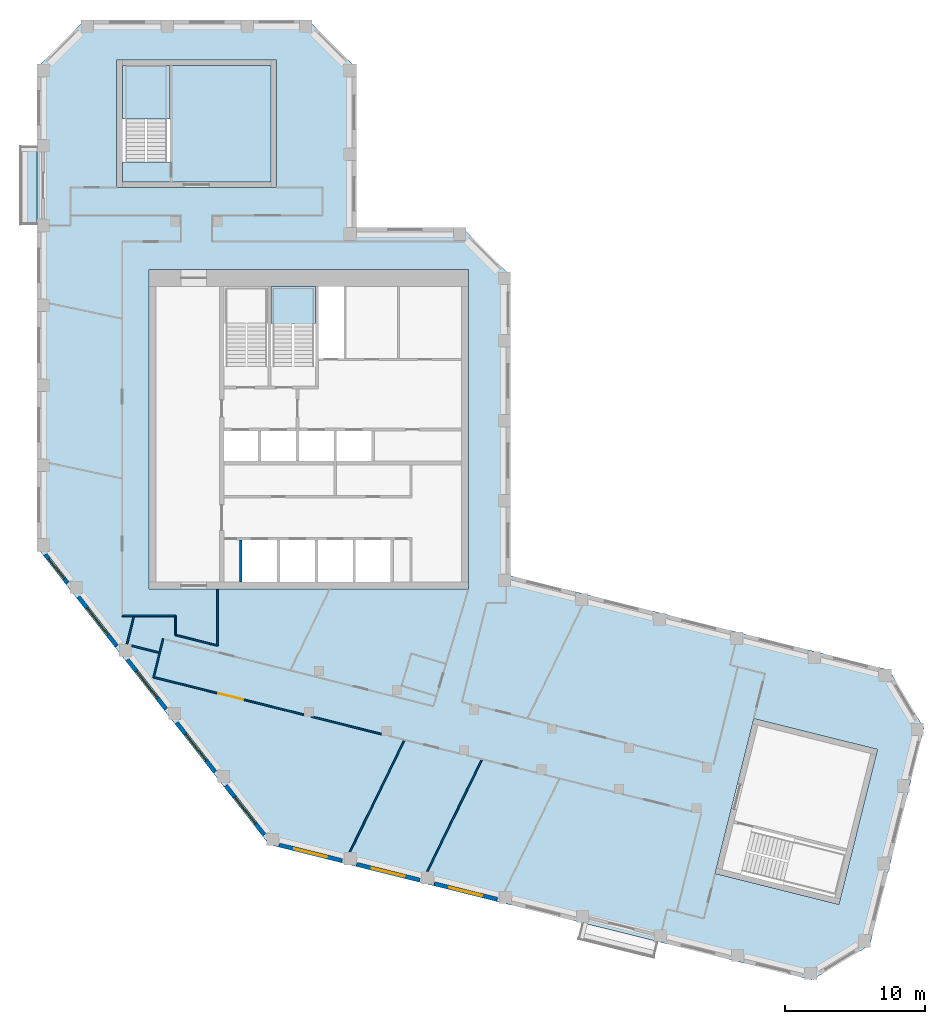
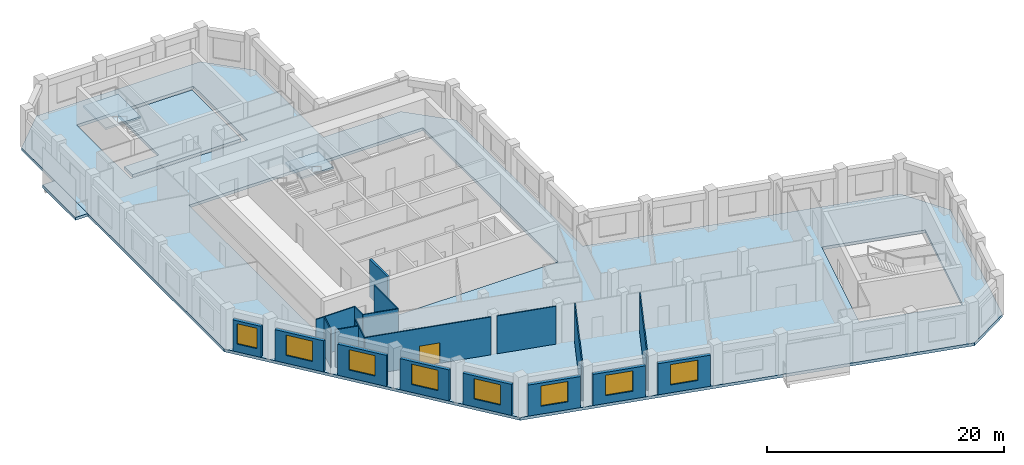
# One storey, part 2 of 8: 20 walls, 8 windows, 5 slabs, 1 door, 9 openings, 2 elements without a shape of their own.
"""IFC4 building model written with IfcOpenShell, lengths in metres."""

from ifc_helpers import new_model, si_unit, direction, frame, frame_2d, origin, place, context, subcontext, project, spatial, polyline, rectangle, outline, extrude, material, layer, layer_set, type_object, element, fill, aggregate, save


model = new_model("IFC4")

# Units and contexts
model_context = context("Model", 3, precision=1e-05, world=origin(), true_north=direction((0.0, 1.0)))
body_context = subcontext(model_context, "Body", "Model", "MODEL_VIEW")
ifc_project = project(units=[si_unit("LENGTHUNIT", "METRE"), si_unit("AREAUNIT", "SQUARE_METRE"), si_unit("VOLUMEUNIT", "CUBIC_METRE"), si_unit("PLANEANGLEUNIT", "RADIAN"), si_unit("MASSUNIT", "GRAM", prefix="KILO")], contexts=[model_context])

# Site, building, storey
site_placement = place(None, origin())
site = spatial("IfcSite", under=ifc_project, at=site_placement, CompositionType="ELEMENT")
building_placement = place(site_placement, origin())
building = spatial("IfcBuilding", under=site, at=building_placement, Name="Meshkara Civic Tower", CompositionType="ELEMENT")
storey_placement = place(building_placement, frame((0.0, 0.0, 375.0)))
storey = spatial("IfcBuildingStorey", under=building, at=storey_placement, Name="L86", CompositionType="ELEMENT", Elevation=375.0)

# Slabs
ifc_material_1 = material(Name="Concrete C40", Category="concrete")
ifc_layer_1 = layer(ifc_material_1, 0.300048828125)
ifc_layer_set_1 = layer_set([ifc_layer_1], Name="BALCONY SLAB")
slab_type_1 = type_object("IfcSlabType", Name="BALCONY SLAB", PredefinedType="FLOOR", material=ifc_layer_set_1)
slab_1_placement = place(storey_placement, frame((0.0, 0.0, -0.300048828125)))
element("IfcSlab", 1, at=slab_1_placement, inside=storey, type_object=slab_type_1, Name="Balcony slab", PredefinedType="FLOOR", context=body_context, shape_type="SweptSolid", body=[
    extrude(outline(polyline([(0.0, 40.5048828125), (0.0, 40.114990234375), (-1.199951171875, 40.114990234375), (-1.199951171875, 45.695068359375), (0.0, 45.695068359375), (0.0, 45.304931640625), (0.0, 40.5048828125)])), origin(), (0.0, 0.0, 1.0), 0.300048828125),
])
ifc_material_2 = material(Name="Concrete C40/50", Category="concrete")
ifc_layer_2 = layer(ifc_material_2, 0.300048828125)
ifc_layer_set_2 = layer_set([ifc_layer_2], Name="Core floor slab 300 C40/50")
slab_type_2 = type_object("IfcSlabType", Name="Core floor slab 300 C40/50", PredefinedType="FLOOR", material=ifc_layer_set_2)
slab_2_placement = place(storey_placement, frame((0.0, 0.0, -0.300048828125)))
element("IfcSlab", 2, at=slab_2_placement, inside=storey, type_object=slab_type_2, Name="Core floor EA", PredefinedType="FLOOR", context=body_context, shape_type="SweptSolid", body=[
    extrude(outline(polyline([(16.699951171875, 43.169921875), (16.699951171875, 51.469970703125), (9.5, 51.469970703125), (9.5, 44.571533203125), (6.10009765625, 44.571533203125), (6.10009765625, 43.169921875), (16.699951171875, 43.169921875)])), origin(), (0.0, 0.0, 1.0), 0.300048828125),
])

# Stair, slab
ifc_material_3 = material(Name="Precast concrete C40/50", Category="concrete")
stair_type = type_object("IfcStairType", Name="Exit stair half-turn 24 risers precast", PredefinedType="HALF_TURN_STAIR", material=ifc_material_3)
stair_1_placement = place(storey_placement, origin())
stair_1 = element("IfcStair", 3, at=stair_1_placement, inside=storey, type_object=stair_type, Name="L86 exit stair 2", PredefinedType="HALF_TURN_STAIR")
ifc_material_4 = material(Name="Precast concrete C40/50", Category="concrete")
ifc_layer_3 = layer(ifc_material_4, 0.199951171875)
ifc_layer_set_3 = layer_set([ifc_layer_3], Name="Exit stair landing 200")
slab_type_3 = type_object("IfcSlabType", Name="Exit stair landing 200", PredefinedType="LANDING", material=ifc_layer_set_3)
slab_3_placement = place(storey_placement, frame((0.0, 0.0, 1.89990234375)))
slab_3 = element("IfcSlab", 4, at=slab_3_placement, type_object=slab_type_3, Name="ST2 landing 1", PredefinedType="LANDING", context=body_context, shape_type="SweptSolid", body=[
    extrude(outline(polyline([(19.89990234375, 33.07861328125), (19.89990234375, 35.699951171875), (16.699951171875, 35.699951171875), (16.699951171875, 33.07861328125), (19.89990234375, 33.07861328125)])), origin(), (0.0, 0.0, 1.0), 0.2001953125),
])
aggregate(stair_1, [slab_3])

stair_2_placement = place(storey_placement, origin())
stair_2 = element("IfcStair", 5, at=stair_2_placement, inside=storey, type_object=stair_type, Name="L86 exit stair A from L80", PredefinedType="HALF_TURN_STAIR")
slab_4_placement = place(storey_placement, frame((0.0, 0.0, 1.89990234375)))
slab_4 = element("IfcSlab", 6, at=slab_4_placement, type_object=slab_type_3, Name="ESA6 landing 1", PredefinedType="LANDING", context=body_context, shape_type="SweptSolid", body=[
    extrude(outline(polyline([(9.5, 47.6484375), (9.5, 51.469970703125), (6.10009765625, 51.469970703125), (6.10009765625, 47.6484375), (9.5, 47.6484375)])), origin(), (0.0, 0.0, 1.0), 0.2001953125),
])
aggregate(stair_2, [slab_4])

# Slab
ifc_material_5 = material(Name="Concrete C50", Category="concrete")
ifc_layer_4 = layer(ifc_material_5, 0.300048828125)
ifc_layer_set_4 = layer_set([ifc_layer_4], Name="Post-tensioned flat slab 300 C50")
slab_type_4 = type_object("IfcSlabType", Name="Post-tensioned flat slab 300 C50", PredefinedType="FLOOR", material=ifc_layer_set_4)
slab_5_placement = place(storey_placement, frame((0.0, 0.0, -0.300048828125)))
element("IfcSlab", 7, at=slab_5_placement, inside=storey, type_object=slab_type_4, Name="Post-tensioned flat slab L86", PredefinedType="FLOOR", context=body_context, shape_type="SweptSolid", body=[
    extrude(outline(polyline([(59.452880859375, -11.299072265625), (55.306884765625, -13.7900390625), (16.592041015625, -4.136962890625), (0.0, 17.10009765625), (0.0, 51.300048828125), (3.419921875, 54.719970703125), (19.3798828125, 54.719970703125), (22.800048828125, 51.300048828125), (22.800048828125, 39.89990234375), (30.3798828125, 39.89990234375), (33.800048828125, 36.47998046875), (33.800048828125, 15.071044921875), (60.822998046875, 8.3330078125), (63.31396484375, 4.18701171875), (59.452880859375, -11.299072265625)]), holes=[polyline([(57.239013671875, -8.39697265625), (59.9970703125, 2.6650390625), (51.1669921875, 4.865966796875), (48.408935546875, -6.195068359375), (57.239013671875, -8.39697265625)]), polyline([(8.0, 14.10009765625), (30.800048828125, 14.10009765625), (30.800048828125, 36.89990234375), (8.0, 36.89990234375), (8.0, 14.10009765625)]), polyline([(5.699951171875, 51.8701171875), (5.699951171875, 42.77001953125), (17.10009765625, 42.77001953125), (17.10009765625, 51.8701171875), (5.699951171875, 51.8701171875)])]), origin(), (0.0, 0.0, 1.0), 0.300048828125),
])

# Wall
ifc_material_6 = material(Name="Corridor wall 100")
ifc_layer_5 = layer(ifc_material_6, 0.10009765625)
ifc_layer_set_5 = layer_set([ifc_layer_5], Name="Corridor wall 100")
wall_type_1 = type_object("IfcWallType", Name="Corridor wall 100", PredefinedType="PARTITIONING", material=ifc_layer_set_5)
wall_1_placement = place(storey_placement, frame((6.10009765625, 12.199951171875, 0.0), z_axis=(0.0, 0.0, 1.0), x_axis=(1.0, 0.0, 0.0)))
element("IfcWall", 8, at=wall_1_placement, inside=storey, type_object=wall_type_1, Name="L86-W004", PredefinedType="PARTITIONING", context=body_context, shape_type="SweptSolid", body=[
    extrude(rectangle(XDim=3.7998046875, YDim=0.10009765625, at=frame_2d((1.89990234375, 0.0))), origin(), (0.0, 0.0, 1.0), 3.89990234375),
])

# Wall, opening, door
wall_2_placement = place(storey_placement, frame((8.333984375, 7.81494140625, 0.0), z_axis=(0.0, 0.0, 1.0), x_axis=(0.970312231044, -0.241855688968, 0.0)))
wall_2 = element("IfcWall", 9, at=wall_2_placement, inside=storey, type_object=wall_type_1, Name="L86-W006", PredefinedType="PARTITIONING", context=body_context, shape_type="SweptSolid", body=[
    extrude(rectangle(XDim=11.068603515625, YDim=0.10009765625, at=frame_2d((5.5341796875, 0.0))), origin(), (0.0, 0.0, 1.0), 3.89990234375),
])
opening_1_placement = place(wall_2_placement, frame((4.780029296875, 0.0, 0.0)))
opening_1 = element("IfcOpeningElement", 10, at=opening_1_placement, cuts=wall_2, Name="Opening L86-D008", PredefinedType="OPENING", context=body_context, shape_type="SweptSolid", body=[
    extrude(rectangle(XDim=1.800048828125, YDim=2.10009765625, at=frame_2d((0.89990234375, 1.050048828125))), frame((0.0, 0.06005859375, 0.0), z_axis=(0.0, -1.0, 0.0), x_axis=(1.0, 0.0, 0.0)), (0.0, 0.0, 1.0), 0.1201171875),
])
ifc_material_7 = material(Name="Door pair 1800 x 2100")
door_type = type_object("IfcDoorType", Name="Door pair 1800 x 2100", OperationType="SINGLE_SWING_LEFT", PredefinedType="DOOR", material=ifc_material_7)
door_placement = place(opening_1_placement, origin())
door = element("IfcDoor", 11, at=door_placement, inside=storey, type_object=door_type, Name="L86-D008", OperationType="DOUBLE_DOOR_SINGLE_SWING", OverallHeight=2.10009765625, OverallWidth=1.800048828125, PredefinedType="DOOR", context=body_context, shape_type="SweptSolid", body=[
    extrude(rectangle(XDim=1.800048828125, YDim=2.10009765625, at=frame_2d((0.89990234375, 1.050048828125))), frame((0.0, 0.02490234375, 0.0), z_axis=(0.0, -1.0, 0.0), x_axis=(1.0, 0.0, 0.0)), (0.0, 0.0, 1.0), 0.050048828125),
])
fill(opening_1, door)

# Walls
wall_3_placement = place(storey_placement, frame((9.01708984375, 10.55810546875, 0.0), z_axis=(0.0, 0.0, 1.0), x_axis=(-0.241641419317, -0.970365613813, 0.0)))
element("IfcWall", 12, at=wall_3_placement, inside=storey, type_object=wall_type_1, Name="L86-W008", PredefinedType="PARTITIONING", context=body_context, shape_type="SweptSolid", body=[
    extrude(rectangle(XDim=2.826904296875, YDim=0.10009765625, at=frame_2d((1.41357421875, 0.0))), origin(), (0.0, 0.0, 1.0), 3.89990234375),
])
wall_4_placement = place(storey_placement, frame((9.89990234375, 10.825927734375, 0.0), z_axis=(0.0, 0.0, 1.0), x_axis=(0.970290953223, -0.241941038466, 0.0)))
element("IfcWall", 13, at=wall_4_placement, inside=storey, type_object=wall_type_1, Name="L86-W009", PredefinedType="PARTITIONING", context=body_context, shape_type="SweptSolid", body=[
    extrude(rectangle(XDim=3.091796875, YDim=0.10009765625, at=frame_2d((1.5458984375, 0.0))), origin(), (0.0, 0.0, 1.0), 3.89990234375),
])
wall_5_placement = place(storey_placement, frame((9.89990234375, 12.199951171875, 0.0), z_axis=(0.0, 0.0, 1.0), x_axis=(0.0, -1.0, 0.0)))
element("IfcWall", 14, at=wall_5_placement, inside=storey, type_object=wall_type_1, Name="L86-W010", PredefinedType="PARTITIONING", context=body_context, shape_type="SweptSolid", body=[
    extrude(rectangle(XDim=1.3740234375, YDim=0.10009765625, at=frame_2d((0.68701171875, 0.0))), origin(), (0.0, 0.0, 1.0), 3.89990234375),
])
wall_6_placement = place(storey_placement, frame((12.89990234375, 10.077880859375, 0.0), z_axis=(0.0, 0.0, 1.0), x_axis=(0.0, 1.0, 0.0)))
element("IfcWall", 15, at=wall_6_placement, inside=storey, type_object=wall_type_1, Name="L86-W015", PredefinedType="PARTITIONING", context=body_context, shape_type="SweptSolid", body=[
    extrude(rectangle(XDim=4.022216796875, YDim=0.10009765625, at=frame_2d((2.01123046875, 0.0))), origin(), (0.0, 0.0, 1.0), 3.89990234375),
])
wall_7_placement = place(storey_placement, frame((19.5859375, 5.010009765625, 0.0), z_axis=(0.0, 0.0, 1.0), x_axis=(0.970303347181, -0.241891327769, 0.0)))
element("IfcWall", 16, at=wall_7_placement, inside=storey, type_object=wall_type_1, Name="L86-W016", PredefinedType="PARTITIONING", context=body_context, shape_type="SweptSolid", body=[
    extrude(rectangle(XDim=5.171630859375, YDim=0.10009765625, at=frame_2d((2.5859375, 0.0))), origin(), (0.0, 0.0, 1.0), 3.89990234375),
])

# Wall, opening, window
ifc_material_8 = material(Name="Insulated infill panel with bronze anodised aluminium cladding", Category="aluminium")
ifc_layer_6 = layer(ifc_material_8, 0.300048828125)
ifc_layer_set_6 = layer_set([ifc_layer_6], Name="EXTERNAL INFILL WALL 300")
wall_type_2 = type_object("IfcWallType", Name="EXTERNAL INFILL WALL 300", PredefinedType="SOLIDWALL", material=ifc_layer_set_6)
wall_8_placement = place(storey_placement, frame((0.60205078125, 16.572998046875, 0.0), z_axis=(0.0, 0.0, 1.0), x_axis=(0.61568999437, -0.787988471256, 0.0)))
wall_8 = element("IfcWall", 17, at=wall_8_placement, inside=storey, type_object=wall_type_2, Name="External wall", PredefinedType="SOLIDWALL", context=body_context, shape_type="SweptSolid", body=[
    extrude(rectangle(XDim=2.577392578125, YDim=0.300048828125, at=frame_2d((1.28857421875, 0.0))), origin(), (0.0, 0.0, 1.0), 3.199951171875),
])
opening_2_placement = place(wall_8_placement, frame((0.387939453125, 0.0, 0.800048828125)))
opening_2 = element("IfcOpeningElement", 18, at=opening_2_placement, cuts=wall_8, Name="Opening W9", PredefinedType="OPENING", context=body_context, shape_type="SweptSolid", body=[
    extrude(rectangle(XDim=1.800048828125, YDim=2.10009765625, at=frame_2d((0.89990234375, 1.050048828125))), frame((0.0, 0.159912109375, 0.0), z_axis=(0.0, -1.0, 0.0), x_axis=(1.0, 0.0, 0.0)), (0.0, 0.0, 1.0), 0.320068359375),
])
ifc_material_9 = material(Name="Tinted double glazing", Category="glass")
window_type_1 = type_object("IfcWindowType", Name="WINDOW 1800x2100", PartitioningType="DOUBLE_PANEL_VERTICAL", PredefinedType="WINDOW", material=ifc_material_9)
window_1_placement = place(opening_2_placement, origin())
window_1 = element("IfcWindow", 19, at=window_1_placement, inside=storey, type_object=window_type_1, Name="Window", OverallHeight=2.10009765625, OverallWidth=1.800048828125, PartitioningType="DOUBLE_PANEL_VERTICAL", PredefinedType="WINDOW", context=body_context, shape_type="SweptSolid", body=[
    extrude(rectangle(XDim=1.800048828125, YDim=2.10009765625, at=frame_2d((0.89990234375, 1.050048828125))), frame((0.0, 0.030029296875, 0.0), z_axis=(0.0, -1.0, 0.0), x_axis=(1.0, 0.0, 0.0)), (0.0, 0.0, 1.0), 0.06005859375),
])
fill(opening_2, window_1)

wall_9_placement = place(storey_placement, frame((2.967041015625, 13.547119140625, 0.0), z_axis=(0.0, 0.0, 1.0), x_axis=(0.615486001463, -0.788147817356, 0.0)))
wall_9 = element("IfcWall", 20, at=wall_9_placement, inside=storey, type_object=wall_type_2, Name="External wall", PredefinedType="SOLIDWALL", context=body_context, shape_type="SweptSolid", body=[
    extrude(rectangle(XDim=4.43701171875, YDim=0.300048828125, at=frame_2d((2.218505859375, 0.0))), origin(), (0.0, 0.0, 1.0), 3.199951171875),
])
opening_3_placement = place(wall_9_placement, frame((1.01806640625, 0.0, 0.800048828125)))
opening_3 = element("IfcOpeningElement", 21, at=opening_3_placement, cuts=wall_9, Name="Opening W7", PredefinedType="OPENING", context=body_context, shape_type="SweptSolid", body=[
    extrude(rectangle(XDim=2.39990234375, YDim=2.10009765625, at=frame_2d((1.199951171875, 1.050048828125))), frame((0.0, 0.159912109375, 0.0), z_axis=(0.0, -1.0, 0.0), x_axis=(1.0, 0.0, 0.0)), (0.0, 0.0, 1.0), 0.320068359375),
])
ifc_material_10 = material(Name="Tinted double glazing", Category="glass")
window_type_2 = type_object("IfcWindowType", Name="WINDOW 2400x2100", PartitioningType="DOUBLE_PANEL_VERTICAL", PredefinedType="WINDOW", material=ifc_material_10)
window_2_placement = place(opening_3_placement, origin())
window_2 = element("IfcWindow", 22, at=window_2_placement, inside=storey, type_object=window_type_2, Name="Window", OverallHeight=2.10009765625, OverallWidth=2.39990234375, PartitioningType="DOUBLE_PANEL_VERTICAL", PredefinedType="WINDOW", context=body_context, shape_type="SweptSolid", body=[
    extrude(rectangle(XDim=2.39990234375, YDim=2.10009765625, at=frame_2d((1.199951171875, 1.050048828125))), frame((0.0, 0.030029296875, 0.0), z_axis=(0.0, -1.0, 0.0), x_axis=(1.0, 0.0, 0.0)), (0.0, 0.0, 1.0), 0.06005859375),
])
fill(opening_3, window_2)

wall_10_placement = place(storey_placement, frame((6.47607421875, 9.054931640625, 0.0), z_axis=(0.0, 0.0, 1.0), x_axis=(0.615649380255, -0.788020203162, 0.0)))
wall_10 = element("IfcWall", 23, at=wall_10_placement, inside=storey, type_object=wall_type_2, Name="External wall", PredefinedType="SOLIDWALL", context=body_context, shape_type="SweptSolid", body=[
    extrude(rectangle(XDim=4.4375, YDim=0.300048828125, at=frame_2d((2.21875, 0.0))), origin(), (0.0, 0.0, 1.0), 3.199951171875),
])
opening_4_placement = place(wall_10_placement, frame((1.01904296875, 0.0, 0.800048828125)))
opening_4 = element("IfcOpeningElement", 24, at=opening_4_placement, cuts=wall_10, Name="Opening W7", PredefinedType="OPENING", context=body_context, shape_type="SweptSolid", body=[
    extrude(rectangle(XDim=2.39990234375, YDim=2.10009765625, at=frame_2d((1.199951171875, 1.050048828125))), frame((0.0, 0.159912109375, 0.0), z_axis=(0.0, -1.0, 0.0), x_axis=(1.0, 0.0, 0.0)), (0.0, 0.0, 1.0), 0.320068359375),
])
window_3_placement = place(opening_4_placement, origin())
window_3 = element("IfcWindow", 25, at=window_3_placement, inside=storey, type_object=window_type_2, Name="Window", OverallHeight=2.10009765625, OverallWidth=2.39990234375, PartitioningType="DOUBLE_PANEL_VERTICAL", PredefinedType="WINDOW", context=body_context, shape_type="SweptSolid", body=[
    extrude(rectangle(XDim=2.39990234375, YDim=2.10009765625, at=frame_2d((1.199951171875, 1.050048828125))), frame((0.0, 0.030029296875, 0.0), z_axis=(0.0, -1.0, 0.0), x_axis=(1.0, 0.0, 0.0)), (0.0, 0.0, 1.0), 0.06005859375),
])
fill(opening_4, window_3)

wall_11_placement = place(storey_placement, frame((9.986083984375, 4.56298828125, 0.0), z_axis=(0.0, 0.0, 1.0), x_axis=(0.615592779411, -0.788064419915, 0.0)))
wall_11 = element("IfcWall", 26, at=wall_11_placement, inside=storey, type_object=wall_type_2, Name="External wall", PredefinedType="SOLIDWALL", context=body_context, shape_type="SweptSolid", body=[
    extrude(rectangle(XDim=4.436279296875, YDim=0.300048828125, at=frame_2d((2.21826171875, 0.0))), origin(), (0.0, 0.0, 1.0), 3.199951171875),
])
opening_5_placement = place(wall_11_placement, frame((1.01806640625, 0.0, 0.800048828125)))
opening_5 = element("IfcOpeningElement", 27, at=opening_5_placement, cuts=wall_11, Name="Opening W7", PredefinedType="OPENING", context=body_context, shape_type="SweptSolid", body=[
    extrude(rectangle(XDim=2.39990234375, YDim=2.10009765625, at=frame_2d((1.199951171875, 1.050048828125))), frame((0.0, 0.159912109375, 0.0), z_axis=(0.0, -1.0, 0.0), x_axis=(1.0, 0.0, 0.0)), (0.0, 0.0, 1.0), 0.320068359375),
])
window_4_placement = place(opening_5_placement, origin())
window_4 = element("IfcWindow", 28, at=window_4_placement, inside=storey, type_object=window_type_2, Name="Window", OverallHeight=2.10009765625, OverallWidth=2.39990234375, PartitioningType="DOUBLE_PANEL_VERTICAL", PredefinedType="WINDOW", context=body_context, shape_type="SweptSolid", body=[
    extrude(rectangle(XDim=2.39990234375, YDim=2.10009765625, at=frame_2d((1.199951171875, 1.050048828125))), frame((0.0, 0.030029296875, 0.0), z_axis=(0.0, -1.0, 0.0), x_axis=(1.0, 0.0, 0.0)), (0.0, 0.0, 1.0), 0.06005859375),
])
fill(opening_5, window_4)

wall_12_placement = place(storey_placement, frame((13.493896484375, 0.071044921875, 0.0), z_axis=(0.0, 0.0, 1.0), x_axis=(0.615763624226, -0.787930935476, 0.0)))
wall_12 = element("IfcWall", 29, at=wall_12_placement, inside=storey, type_object=wall_type_2, Name="External wall", PredefinedType="SOLIDWALL", context=body_context, shape_type="SweptSolid", body=[
    extrude(rectangle(XDim=4.43701171875, YDim=0.300048828125, at=frame_2d((2.218505859375, 0.0))), origin(), (0.0, 0.0, 1.0), 3.199951171875),
])
opening_6_placement = place(wall_12_placement, frame((1.01806640625, 0.0, 0.800048828125)))
opening_6 = element("IfcOpeningElement", 30, at=opening_6_placement, cuts=wall_12, Name="Opening W7", PredefinedType="OPENING", context=body_context, shape_type="SweptSolid", body=[
    extrude(rectangle(XDim=2.39990234375, YDim=2.10009765625, at=frame_2d((1.199951171875, 1.050048828125))), frame((0.0, 0.159912109375, 0.0), z_axis=(0.0, -1.0, 0.0), x_axis=(1.0, 0.0, 0.0)), (0.0, 0.0, 1.0), 0.320068359375),
])
window_5_placement = place(opening_6_placement, origin())
window_5 = element("IfcWindow", 31, at=window_5_placement, inside=storey, type_object=window_type_2, Name="Window", OverallHeight=2.10009765625, OverallWidth=2.39990234375, PartitioningType="DOUBLE_PANEL_VERTICAL", PredefinedType="WINDOW", context=body_context, shape_type="SweptSolid", body=[
    extrude(rectangle(XDim=2.39990234375, YDim=2.10009765625, at=frame_2d((1.199951171875, 1.050048828125))), frame((0.0, 0.030029296875, 0.0), z_axis=(0.0, -1.0, 0.0), x_axis=(1.0, 0.0, 0.0)), (0.0, 0.0, 1.0), 0.06005859375),
])
fill(opening_6, window_5)

wall_13_placement = place(storey_placement, frame((17.30810546875, -4.160888671875, 0.0), z_axis=(0.0, 0.0, 1.0), x_axis=(0.970294992984, -0.241924836652, 0.0)))
wall_13 = element("IfcWall", 32, at=wall_13_placement, inside=storey, type_object=wall_type_2, Name="External wall", PredefinedType="SOLIDWALL", context=body_context, shape_type="SweptSolid", body=[
    extrude(rectangle(XDim=4.60888671875, YDim=0.300048828125, at=frame_2d((2.304443359375, 0.0))), origin(), (0.0, 0.0, 1.0), 3.199951171875),
])
opening_7_placement = place(wall_13_placement, frame((1.10498046875, 0.0, 0.800048828125)))
opening_7 = element("IfcOpeningElement", 33, at=opening_7_placement, cuts=wall_13, Name="Opening W7", PredefinedType="OPENING", context=body_context, shape_type="SweptSolid", body=[
    extrude(rectangle(XDim=2.39990234375, YDim=2.10009765625, at=frame_2d((1.199951171875, 1.050048828125))), frame((0.0, 0.159912109375, 0.0), z_axis=(0.0, -1.0, 0.0), x_axis=(1.0, 0.0, 0.0)), (0.0, 0.0, 1.0), 0.320068359375),
])
window_6_placement = place(opening_7_placement, origin())
window_6 = element("IfcWindow", 34, at=window_6_placement, inside=storey, type_object=window_type_2, Name="Window", OverallHeight=2.10009765625, OverallWidth=2.39990234375, PartitioningType="DOUBLE_PANEL_VERTICAL", PredefinedType="WINDOW", context=body_context, shape_type="SweptSolid", body=[
    extrude(rectangle(XDim=2.39990234375, YDim=2.10009765625, at=frame_2d((1.199951171875, 1.050048828125))), frame((0.0, 0.030029296875, 0.0), z_axis=(0.0, -1.0, 0.0), x_axis=(1.0, 0.0, 0.0)), (0.0, 0.0, 1.0), 0.06005859375),
])
fill(opening_7, window_6)

wall_14_placement = place(storey_placement, frame((22.839111328125, -5.5400390625, 0.0), z_axis=(0.0, 0.0, 1.0), x_axis=(0.970282587769, -0.241974585177, 0.0)))
wall_14 = element("IfcWall", 35, at=wall_14_placement, inside=storey, type_object=wall_type_2, Name="External wall", PredefinedType="SOLIDWALL", context=body_context, shape_type="SweptSolid", body=[
    extrude(rectangle(XDim=4.60791015625, YDim=0.300048828125, at=frame_2d((2.303955078125, 0.0))), origin(), (0.0, 0.0, 1.0), 3.199951171875),
])
opening_8_placement = place(wall_14_placement, frame((1.10400390625, 0.0, 0.800048828125)))
opening_8 = element("IfcOpeningElement", 36, at=opening_8_placement, cuts=wall_14, Name="Opening W7", PredefinedType="OPENING", context=body_context, shape_type="SweptSolid", body=[
    extrude(rectangle(XDim=2.39990234375, YDim=2.10009765625, at=frame_2d((1.199951171875, 1.050048828125))), frame((0.0, 0.159912109375, 0.0), z_axis=(0.0, -1.0, 0.0), x_axis=(1.0, 0.0, 0.0)), (0.0, 0.0, 1.0), 0.320068359375),
])
window_7_placement = place(opening_8_placement, origin())
window_7 = element("IfcWindow", 37, at=window_7_placement, inside=storey, type_object=window_type_2, Name="Window", OverallHeight=2.10009765625, OverallWidth=2.39990234375, PartitioningType="DOUBLE_PANEL_VERTICAL", PredefinedType="WINDOW", context=body_context, shape_type="SweptSolid", body=[
    extrude(rectangle(XDim=2.39990234375, YDim=2.10009765625, at=frame_2d((1.199951171875, 1.050048828125))), frame((0.0, 0.030029296875, 0.0), z_axis=(0.0, -1.0, 0.0), x_axis=(1.0, 0.0, 0.0)), (0.0, 0.0, 1.0), 0.06005859375),
])
fill(opening_8, window_7)

wall_15_placement = place(storey_placement, frame((28.368896484375, -6.9189453125, 0.0), z_axis=(0.0, 0.0, 1.0), x_axis=(0.970298093093, -0.241912402618, 0.0)))
wall_15 = element("IfcWall", 38, at=wall_15_placement, inside=storey, type_object=wall_type_2, Name="External wall", PredefinedType="SOLIDWALL", context=body_context, shape_type="SweptSolid", body=[
    extrude(rectangle(XDim=4.609130859375, YDim=0.300048828125, at=frame_2d((2.3046875, 0.0))), origin(), (0.0, 0.0, 1.0), 3.199951171875),
])
opening_9_placement = place(wall_15_placement, frame((1.10498046875, 0.0, 0.800048828125)))
opening_9 = element("IfcOpeningElement", 39, at=opening_9_placement, cuts=wall_15, Name="Opening W7", PredefinedType="OPENING", context=body_context, shape_type="SweptSolid", body=[
    extrude(rectangle(XDim=2.39990234375, YDim=2.10009765625, at=frame_2d((1.199951171875, 1.050048828125))), frame((0.0, 0.159912109375, 0.0), z_axis=(0.0, -1.0, 0.0), x_axis=(1.0, 0.0, 0.0)), (0.0, 0.0, 1.0), 0.320068359375),
])
window_8_placement = place(opening_9_placement, origin())
window_8 = element("IfcWindow", 40, at=window_8_placement, inside=storey, type_object=window_type_2, Name="Window", OverallHeight=2.10009765625, OverallWidth=2.39990234375, PartitioningType="DOUBLE_PANEL_VERTICAL", PredefinedType="WINDOW", context=body_context, shape_type="SweptSolid", body=[
    extrude(rectangle(XDim=2.39990234375, YDim=2.10009765625, at=frame_2d((1.199951171875, 1.050048828125))), frame((0.0, 0.030029296875, 0.0), z_axis=(0.0, -1.0, 0.0), x_axis=(1.0, 0.0, 0.0)), (0.0, 0.0, 1.0), 0.06005859375),
])
fill(opening_9, window_8)

# Walls
ifc_material_11 = material(Name="Partition 100")
ifc_layer_7 = layer(ifc_material_11, 0.10009765625)
ifc_layer_set_7 = layer_set([ifc_layer_7], Name="Partition 100")
wall_type_3 = type_object("IfcWallType", Name="Partition 100", PredefinedType="PARTITIONING", material=ifc_layer_set_7)
wall_16_placement = place(storey_placement, frame((6.922119140625, 12.137939453125, 0.0), z_axis=(0.0, 0.0, 1.0), x_axis=(-0.24222136375, -0.97022101139, 0.0)))
element("IfcWall", 41, at=wall_16_placement, inside=storey, type_object=wall_type_3, Name="L86-W042", PredefinedType="PARTITIONING", context=body_context, shape_type="SweptSolid", body=[
    extrude(rectangle(XDim=2.0107421875, YDim=0.10009765625, at=frame_2d((1.00537109375, 0.0))), origin(), (0.0, 0.0, 1.0), 3.89990234375),
])
wall_17_placement = place(storey_placement, frame((8.719970703125, 9.573974609375, 0.0), z_axis=(0.0, 0.0, 1.0), x_axis=(-0.970221168815, 0.24222073318, 0.0)))
element("IfcWall", 42, at=wall_17_placement, inside=storey, type_object=wall_type_3, Name="L86-W043", PredefinedType="PARTITIONING", context=body_context, shape_type="SweptSolid", body=[
    extrude(rectangle(XDim=2.0068359375, YDim=0.10009765625, at=frame_2d((1.00341796875, 0.0))), origin(), (0.0, 0.0, 1.0), 3.89990234375),
])
wall_18_placement = place(storey_placement, frame((22.3359375, -4.6669921875, 0.0), z_axis=(0.0, 0.0, 1.0), x_axis=(0.438261260169, 0.89884763327, 0.0)))
element("IfcWall", 43, at=wall_18_placement, inside=storey, type_object=wall_type_3, Name="L86-W045", PredefinedType="PARTITIONING", context=body_context, shape_type="SweptSolid", body=[
    extrude(rectangle(XDim=8.85791015625, YDim=0.10009765625, at=frame_2d((4.428955078125, 0.0))), origin(), (0.0, 0.0, 1.0), 3.89990234375),
])
wall_19_placement = place(storey_placement, frame((27.865966796875, -6.0458984375, 0.0), z_axis=(0.0, 0.0, 1.0), x_axis=(0.438350325629, 0.898804201159, 0.0)))
element("IfcWall", 44, at=wall_19_placement, inside=storey, type_object=wall_type_3, Name="L86-W048", PredefinedType="PARTITIONING", context=body_context, shape_type="SweptSolid", body=[
    extrude(rectangle(XDim=8.8583984375, YDim=0.10009765625, at=frame_2d((4.42919921875, 0.0))), origin(), (0.0, 0.0, 1.0), 3.89990234375),
])
ifc_material_12 = material(Name="Concrete C40/50", Category="concrete")
ifc_layer_8 = layer(ifc_material_12, 0.199951171875)
ifc_layer_set_8 = layer_set([ifc_layer_8], Name="Shaft wall 200 C40/50")
wall_type_4 = type_object("IfcWallType", Name="Shaft wall 200 C40/50", PredefinedType="SOLIDWALL", material=ifc_layer_set_8)
wall_20_placement = place(storey_placement, frame((14.550048828125, 14.60009765625, 0.0), z_axis=(0.0, 0.0, 1.0), x_axis=(0.0, 1.0, 0.0)))
element("IfcWall", 45, at=wall_20_placement, inside=storey, type_object=wall_type_4, Name="L86-C012", PredefinedType="SOLIDWALL", context=body_context, shape_type="SweptSolid", body=[
    extrude(rectangle(XDim=3.0, YDim=0.199951171875, at=frame_2d((1.5, 0.0))), origin(), (0.0, 0.0, 1.0), 3.89990234375),
])

save(model, "model.ifc")
